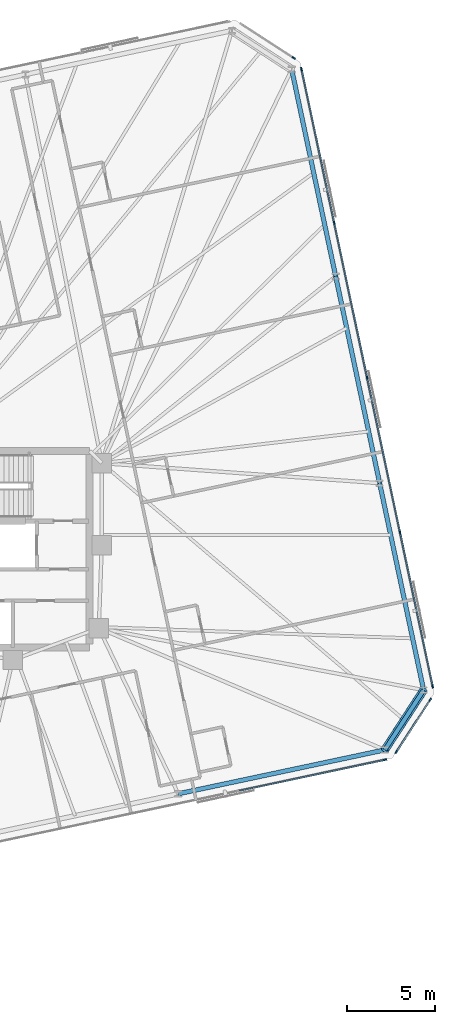
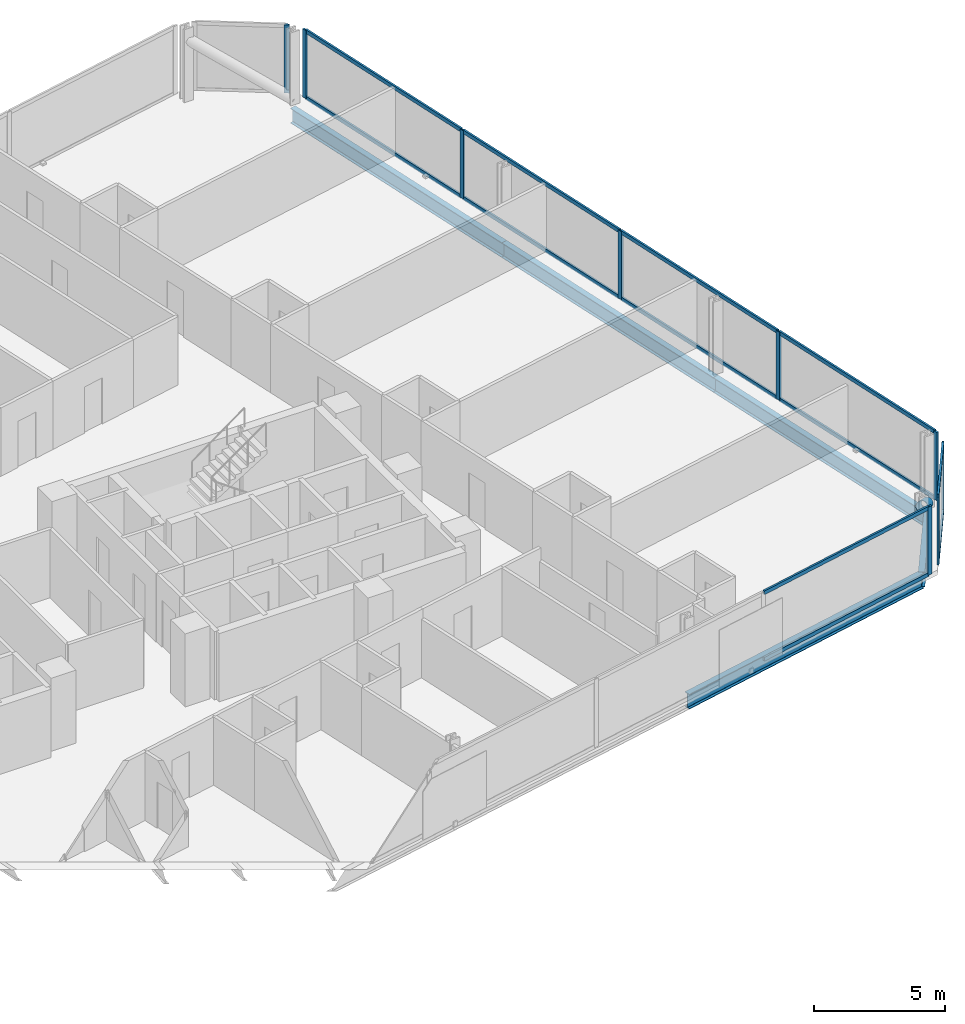
# One storey, part 12 of 21: 22 members, 5 beams, 4 elements without a shape of their own.
"""IFC4 building model written with IfcOpenShell, lengths in metres."""

from ifc_helpers import new_model, si_unit, direction, frame, origin, origin_2d, place, context, subcontext, project, spatial, rectangle, hollow_circle, i_section, extrude, material, material_profile, profile_set, type_object, element, aggregate, save


model = new_model("IFC4")

# Units and contexts
model_context = context("Model", 3, precision=1e-05, world=origin(), true_north=direction((0.0, 1.0)))
body_context = subcontext(model_context, "Body", "Model", "MODEL_VIEW")
ifc_project = project(units=[si_unit("LENGTHUNIT", "METRE"), si_unit("AREAUNIT", "SQUARE_METRE"), si_unit("VOLUMEUNIT", "CUBIC_METRE"), si_unit("PLANEANGLEUNIT", "RADIAN"), si_unit("MASSUNIT", "GRAM", prefix="KILO")], contexts=[model_context])

# Site, building, storey
site_placement = place(None, origin())
site = spatial("IfcSite", under=ifc_project, at=site_placement, CompositionType="ELEMENT")
building_placement = place(site_placement, origin())
building = spatial("IfcBuilding", under=site, at=building_placement, Name="Menara Jurai Vektor", CompositionType="ELEMENT")
storey_placement = place(building_placement, frame((0.0, 0.0, 165.0)))
storey = spatial("IfcBuildingStorey", under=building, at=storey_placement, Name="L42", CompositionType="ELEMENT", Elevation=165.0)

# Curtain wall, member
ifc_material_1 = material(Name="Anodised Pale Aluminium & Low-E Double Glazing", Category="aluminium")
curtain_wall_type = type_object("IfcCurtainWallType", Name="CW-BLK3", PredefinedType="NOTDEFINED", material=ifc_material_1)
curtain_wall_1_placement = place(storey_placement, origin())
curtain_wall_1 = element("IfcCurtainWall", 1, at=curtain_wall_1_placement, inside=storey, type_object=curtain_wall_type, Name="Unitised Curtain Wall L42 F01", PredefinedType="NOTDEFINED")
ifc_material_2 = material(Name="Anodised Pale Aluminium Mullion", Category="aluminium")
ifc_material_profile_1 = material_profile(ifc_material_2, rectangle(XDim=0.0849609375, YDim=0.205078125, at=origin_2d()), Name="ALU MUL 85x205")
ifc_profile_set_1 = profile_set([ifc_material_profile_1], Name="Anodised Pale Aluminium Mullion")
member_type_1 = type_object("IfcMemberType", Name="CW-BLK3-MUL", PredefinedType="MULLION", material=ifc_profile_set_1)
member_1_placement = place(storey_placement, frame((31.392578125, -11.99755859375, 0.0), z_axis=(0.0, 0.0, 1.0), x_axis=(-0.207911344156, 0.978147674419, 0.0)))
member_1 = element("IfcMember", 2, at=member_1_placement, type_object=member_type_1, Name="CW-03 mullion 8", PredefinedType="MULLION", context=body_context, shape_type="SweptSolid", body=[
    extrude(rectangle(XDim=0.0849609375, YDim=0.205078125, at=origin_2d()), origin(), (0.0, 0.0, 1.0), 3.175048828125),
])

# Curtain wall, members
curtain_wall_2_placement = place(storey_placement, origin())
curtain_wall_2 = element("IfcCurtainWall", 3, at=curtain_wall_2_placement, inside=storey, type_object=curtain_wall_type, Name="Unitised Curtain Wall L42 F02", PredefinedType="NOTDEFINED")
member_2_placement = place(storey_placement, frame((32.035888671875, -11.555419921875, 0.0), z_axis=(0.0, 0.0, 1.0), x_axis=(-0.838684361415, 0.544617794346, 0.0)))
member_2 = element("IfcMember", 4, at=member_2_placement, type_object=member_type_1, Name="CW-03 mullion 1", PredefinedType="MULLION", context=body_context, shape_type="SweptSolid", body=[
    extrude(rectangle(XDim=0.0849609375, YDim=0.205078125, at=origin_2d()), origin(), (0.0, 0.0, 1.0), 3.175048828125),
])
member_3_placement = place(storey_placement, frame((33.96337890625, -8.587158203125, 0.0), z_axis=(0.0, 0.0, 1.0), x_axis=(-0.838684361415, 0.544617794346, 0.0)))
member_3 = element("IfcMember", 5, at=member_3_placement, type_object=member_type_1, Name="CW-03 mullion 2", PredefinedType="MULLION", context=body_context, shape_type="SweptSolid", body=[
    extrude(rectangle(XDim=0.0849609375, YDim=0.205078125, at=origin_2d()), origin(), (0.0, 0.0, 1.0), 3.175048828125),
])

curtain_wall_3_placement = place(storey_placement, origin())
curtain_wall_3 = element("IfcCurtainWall", 6, at=curtain_wall_3_placement, inside=storey, type_object=curtain_wall_type, Name="Unitised Curtain Wall L42 F03", PredefinedType="NOTDEFINED")
member_4_placement = place(storey_placement, frame((34.105712890625, -7.819580078125, 0.0), z_axis=(0.0, 0.0, 1.0), x_axis=(-0.978147883949, -0.20791035839, 0.0)))
member_4 = element("IfcMember", 7, at=member_4_placement, type_object=member_type_1, Name="CW-03 mullion 1", PredefinedType="MULLION", context=body_context, shape_type="SweptSolid", body=[
    extrude(rectangle(XDim=0.0849609375, YDim=0.205078125, at=origin_2d()), origin(), (0.0, 0.0, 1.0), 3.175048828125),
])
member_5_placement = place(storey_placement, frame((32.2412109375, 0.951904296875, 0.0), z_axis=(0.0, 0.0, 1.0), x_axis=(-0.978147883949, -0.20791035839, 0.0)))
member_5 = element("IfcMember", 8, at=member_5_placement, type_object=member_type_1, Name="CW-03 mullion 2", PredefinedType="MULLION", context=body_context, shape_type="SweptSolid", body=[
    extrude(rectangle(XDim=0.0849609375, YDim=0.205078125, at=origin_2d()), origin(), (0.0, 0.0, 1.0), 3.175048828125),
])
member_6_placement = place(storey_placement, frame((30.367919921875, 9.76513671875, 0.0), z_axis=(0.0, 0.0, 1.0), x_axis=(-0.978147883949, -0.20791035839, 0.0)))
member_6 = element("IfcMember", 9, at=member_6_placement, type_object=member_type_1, Name="CW-03 mullion 3", PredefinedType="MULLION", context=body_context, shape_type="SweptSolid", body=[
    extrude(rectangle(XDim=0.0849609375, YDim=0.205078125, at=origin_2d()), origin(), (0.0, 0.0, 1.0), 3.175048828125),
])
member_7_placement = place(storey_placement, frame((28.49462890625, 18.578125, 0.0), z_axis=(0.0, 0.0, 1.0), x_axis=(-0.978147883949, -0.20791035839, 0.0)))
member_7 = element("IfcMember", 10, at=member_7_placement, type_object=member_type_1, Name="CW-03 mullion 4", PredefinedType="MULLION", context=body_context, shape_type="SweptSolid", body=[
    extrude(rectangle(XDim=0.0849609375, YDim=0.205078125, at=origin_2d()), origin(), (0.0, 0.0, 1.0), 3.175048828125),
])
member_8_placement = place(storey_placement, frame((26.630126953125, 27.349609375, 0.0), z_axis=(0.0, 0.0, 1.0), x_axis=(-0.978147883949, -0.20791035839, 0.0)))
member_8 = element("IfcMember", 11, at=member_8_placement, type_object=member_type_1, Name="CW-03 mullion 5", PredefinedType="MULLION", context=body_context, shape_type="SweptSolid", body=[
    extrude(rectangle(XDim=0.0849609375, YDim=0.205078125, at=origin_2d()), origin(), (0.0, 0.0, 1.0), 3.175048828125),
])

# Curtain wall, member
curtain_wall_4_placement = place(storey_placement, origin())
curtain_wall_4 = element("IfcCurtainWall", 12, at=curtain_wall_4_placement, inside=storey, type_object=curtain_wall_type, Name="Unitised Curtain Wall L42 F04", PredefinedType="NOTDEFINED")
member_9_placement = place(storey_placement, frame((26.18798828125, 27.9931640625, 0.0), z_axis=(0.0, 0.0, 1.0), x_axis=(-0.544617794346, -0.838684361415, 0.0)))
member_9 = element("IfcMember", 13, at=member_9_placement, type_object=member_type_1, Name="CW-03 mullion 1", PredefinedType="MULLION", context=body_context, shape_type="SweptSolid", body=[
    extrude(rectangle(XDim=0.0849609375, YDim=0.205078125, at=origin_2d()), origin(), (0.0, 0.0, 1.0), 3.175048828125),
])
aggregate(curtain_wall_4, [member_9])

# Member
ifc_material_3 = material(Name="Anodised Pale Aluminium Transom", Category="aluminium")
ifc_material_profile_2 = material_profile(ifc_material_3, rectangle(XDim=0.0849609375, YDim=0.175048828125, at=origin_2d()), Name="ALU TRN 85x175")
ifc_profile_set_2 = profile_set([ifc_material_profile_2], Name="Anodised Pale Aluminium Transom")
member_type_2 = type_object("IfcMemberType", Name="CW-BLK3-TRN", PredefinedType="USERDEFINED", material=ifc_profile_set_2)
member_10_placement = place(storey_placement, frame((23.0859375, -13.76318359375, 0.04248046875), z_axis=(0.978146953428, 0.207914736128, 0.0), x_axis=(-0.207914736128, 0.978146953428, 0.0)))
member_10 = element("IfcMember", 14, at=member_10_placement, type_object=member_type_2, Name="CW-03 transom 7.1", ObjectType="TRANSOM", PredefinedType="USERDEFINED", context=body_context, shape_type="SweptSolid", body=[
    extrude(rectangle(XDim=0.0849609375, YDim=0.175048828125, at=origin_2d()), origin(), (0.0, 0.0, 1.0), 8.44970703125),
])

member_11_placement = place(storey_placement, frame((23.0859375, -13.76318359375, 3.132568359375), z_axis=(0.978146953428, 0.207914736128, 0.0), x_axis=(-0.207914736128, 0.978146953428, 0.0)))
member_11 = element("IfcMember", 15, at=member_11_placement, type_object=member_type_2, Name="CW-03 transom 7.2", ObjectType="TRANSOM", PredefinedType="USERDEFINED", context=body_context, shape_type="SweptSolid", body=[
    extrude(rectangle(XDim=0.0849609375, YDim=0.175048828125, at=origin_2d()), origin(), (0.0, 0.0, 1.0), 8.44970703125),
])

aggregate(curtain_wall_1, [member_1, member_10, member_11])

member_12_placement = place(storey_placement, frame((32.05908203125, -11.519775390625, 0.04248046875), z_axis=(0.54459575764, 0.838698671014, 0.0), x_axis=(-0.838698671014, 0.54459575764, 0.0)))
member_12 = element("IfcMember", 16, at=member_12_placement, type_object=member_type_2, Name="CW-03 transom 1.1", ObjectType="TRANSOM", PredefinedType="USERDEFINED", context=body_context, shape_type="SweptSolid", body=[
    extrude(rectangle(XDim=0.0849609375, YDim=0.175048828125, at=origin_2d()), origin(), (0.0, 0.0, 1.0), 3.4541015625),
])

member_13_placement = place(storey_placement, frame((32.05908203125, -11.519775390625, 3.132568359375), z_axis=(0.54459575764, 0.838698671014, 0.0), x_axis=(-0.838698671014, 0.54459575764, 0.0)))
member_13 = element("IfcMember", 17, at=member_13_placement, type_object=member_type_2, Name="CW-03 transom 1.2", ObjectType="TRANSOM", PredefinedType="USERDEFINED", context=body_context, shape_type="SweptSolid", body=[
    extrude(rectangle(XDim=0.0849609375, YDim=0.175048828125, at=origin_2d()), origin(), (0.0, 0.0, 1.0), 3.4541015625),
])

aggregate(curtain_wall_2, [member_2, member_3, member_12, member_13])

member_14_placement = place(storey_placement, frame((34.096923828125, -7.778076171875, 0.04248046875), z_axis=(-0.207925814542, 0.978144598537, 0.0), x_axis=(-0.978144598537, -0.207925814542, 0.0)))
member_14 = element("IfcMember", 18, at=member_14_placement, type_object=member_type_2, Name="CW-03 transom 1.1", ObjectType="TRANSOM", PredefinedType="USERDEFINED", context=body_context, shape_type="SweptSolid", body=[
    extrude(rectangle(XDim=0.0849609375, YDim=0.175048828125, at=origin_2d()), origin(), (0.0, 0.0, 1.0), 8.882568359375),
])

member_15_placement = place(storey_placement, frame((34.096923828125, -7.778076171875, 3.132568359375), z_axis=(-0.207925814542, 0.978144598537, 0.0), x_axis=(-0.978144598537, -0.207925814542, 0.0)))
member_15 = element("IfcMember", 19, at=member_15_placement, type_object=member_type_2, Name="CW-03 transom 1.2", ObjectType="TRANSOM", PredefinedType="USERDEFINED", context=body_context, shape_type="SweptSolid", body=[
    extrude(rectangle(XDim=0.0849609375, YDim=0.175048828125, at=origin_2d()), origin(), (0.0, 0.0, 1.0), 8.882568359375),
])

member_16_placement = place(storey_placement, frame((32.232421875, 0.993408203125, 0.04248046875), z_axis=(-0.207922224243, 0.978145361726, 0.0), x_axis=(-0.978145361726, -0.207922224243, 0.0)))
member_16 = element("IfcMember", 20, at=member_16_placement, type_object=member_type_2, Name="CW-03 transom 2.1", ObjectType="TRANSOM", PredefinedType="USERDEFINED", context=body_context, shape_type="SweptSolid", body=[
    extrude(rectangle(XDim=0.0849609375, YDim=0.175048828125, at=origin_2d()), origin(), (0.0, 0.0, 1.0), 8.925048828125),
])

member_17_placement = place(storey_placement, frame((32.232421875, 0.993408203125, 3.132568359375), z_axis=(-0.207922224243, 0.978145361726, 0.0), x_axis=(-0.978145361726, -0.207922224243, 0.0)))
member_17 = element("IfcMember", 21, at=member_17_placement, type_object=member_type_2, Name="CW-03 transom 2.2", ObjectType="TRANSOM", PredefinedType="USERDEFINED", context=body_context, shape_type="SweptSolid", body=[
    extrude(rectangle(XDim=0.0849609375, YDim=0.175048828125, at=origin_2d()), origin(), (0.0, 0.0, 1.0), 8.925048828125),
])

member_18_placement = place(storey_placement, frame((30.359130859375, 9.806640625, 0.04248046875), z_axis=(-0.207922224243, 0.978145361726, 0.0), x_axis=(-0.978145361726, -0.207922224243, 0.0)))
member_18 = element("IfcMember", 22, at=member_18_placement, type_object=member_type_2, Name="CW-03 transom 3.1", ObjectType="TRANSOM", PredefinedType="USERDEFINED", context=body_context, shape_type="SweptSolid", body=[
    extrude(rectangle(XDim=0.0849609375, YDim=0.175048828125, at=origin_2d()), origin(), (0.0, 0.0, 1.0), 8.925048828125),
])

member_19_placement = place(storey_placement, frame((30.359130859375, 9.806640625, 3.132568359375), z_axis=(-0.207922224243, 0.978145361726, 0.0), x_axis=(-0.978145361726, -0.207922224243, 0.0)))
member_19 = element("IfcMember", 23, at=member_19_placement, type_object=member_type_2, Name="CW-03 transom 3.2", ObjectType="TRANSOM", PredefinedType="USERDEFINED", context=body_context, shape_type="SweptSolid", body=[
    extrude(rectangle(XDim=0.0849609375, YDim=0.175048828125, at=origin_2d()), origin(), (0.0, 0.0, 1.0), 8.925048828125),
])

member_20_placement = place(storey_placement, frame((28.48583984375, 18.61962890625, 0.04248046875), z_axis=(-0.207899517354, 0.978150188204, 0.0), x_axis=(-0.978150188204, -0.207899517354, 0.0)))
member_20 = element("IfcMember", 24, at=member_20_placement, type_object=member_type_2, Name="CW-03 transom 4.1", ObjectType="TRANSOM", PredefinedType="USERDEFINED", context=body_context, shape_type="SweptSolid", body=[
    extrude(rectangle(XDim=0.0849609375, YDim=0.175048828125, at=origin_2d()), origin(), (0.0, 0.0, 1.0), 8.882568359375),
])

member_21_placement = place(storey_placement, frame((28.48583984375, 18.61962890625, 3.132568359375), z_axis=(-0.207899517354, 0.978150188204, 0.0), x_axis=(-0.978150188204, -0.207899517354, 0.0)))
member_21 = element("IfcMember", 25, at=member_21_placement, type_object=member_type_2, Name="CW-03 transom 4.2", ObjectType="TRANSOM", PredefinedType="USERDEFINED", context=body_context, shape_type="SweptSolid", body=[
    extrude(rectangle(XDim=0.0849609375, YDim=0.175048828125, at=origin_2d()), origin(), (0.0, 0.0, 1.0), 8.882568359375),
])

aggregate(curtain_wall_3, [member_4, member_5, member_6, member_7, member_8, member_14, member_15, member_16, member_17, member_18, member_19, member_20, member_21])

ifc_material_4 = material(Name="Steel S460", Category="steel")
ifc_material_profile_3 = material_profile(ifc_material_4, hollow_circle(Radius=0.228515625, WallThickness=0.01611328125, at=origin_2d()), Name="CHS 457x16")
ifc_profile_set_3 = profile_set([ifc_material_profile_3], Name="Steel S460")
member_type_3 = type_object("IfcMemberType", Name="STR-BR-457", PredefinedType="BRACE", material=ifc_profile_set_3)
member_22_placement = place(storey_placement, frame((33.588623046875, -8.031982421875, 0.14990234375), z_axis=(-0.454871874024, -0.700428396616, 0.549992399435), x_axis=(0.838665998507, -0.544646071268, 0.0)))
element("IfcMember", 26, at=member_22_placement, inside=storey, type_object=member_type_3, Name="Exoskeleton Corner Brace L42-1", PredefinedType="BRACE", context=body_context, shape_type="SweptSolid", body=[
    extrude(hollow_circle(Radius=0.228515625, WallThickness=0.01611328125, at=origin_2d()), origin(), (0.0, 0.0, 1.0), 4.86376953125),
])

# Beams
ifc_material_profile_4 = material_profile(ifc_material_4, i_section(OverallWidth=0.256103515625, OverallDepth=0.693115234375, WebThickness=0.013916015625, FlangeThickness=0.02392578125, FilletRadius=0.014892578125, at=origin_2d()), Name="UKB 686x254x170")
ifc_profile_set_4 = profile_set([ifc_material_profile_4], Name="Steel S460")
beam_type = type_object("IfcBeamType", Name="STR-SP-686", PredefinedType="SPANDREL", material=ifc_profile_set_4)
beam_1_placement = place(storey_placement, frame((19.608154296875, -13.940185546875, -0.571533203125), z_axis=(0.97814616202, 0.207918459318, 0.0), x_axis=(-0.207918459318, 0.97814616202, 0.0)))
element("IfcBeam", 27, at=beam_1_placement, inside=storey, type_object=beam_type, Name="Exoskeleton Spandrel Beam L42-05", PredefinedType="SPANDREL", context=body_context, shape_type="SweptSolid", body=[
    extrude(i_section(OverallWidth=0.256103515625, OverallDepth=0.693115234375, WebThickness=0.013916015625, FlangeThickness=0.02392578125, FilletRadius=0.014892578125, at=origin_2d()), origin(), (0.0, 0.0, 1.0), 12.031005859375),
])
beam_2_placement = place(storey_placement, frame((31.376220703125, -11.438720703125, -0.571533203125), z_axis=(0.544646071268, 0.838665998507, 0.0), x_axis=(-0.838665998507, 0.544646071268, 0.0)))
element("IfcBeam", 28, at=beam_2_placement, inside=storey, type_object=beam_type, Name="Exoskeleton Spandrel Beam L42-06", PredefinedType="SPANDREL", context=body_context, shape_type="SweptSolid", body=[
    extrude(i_section(OverallWidth=0.256103515625, OverallDepth=0.693115234375, WebThickness=0.013916015625, FlangeThickness=0.02392578125, FilletRadius=0.014892578125, at=origin_2d()), origin(), (0.0, 0.0, 1.0), 4.06201171875),
])
beam_3_placement = place(storey_placement, frame((33.588623046875, -8.031982421875, -0.571533203125), z_axis=(-0.207925382659, 0.978144690343, 0.0), x_axis=(-0.978144690343, -0.207925382659, 0.0)))
element("IfcBeam", 29, at=beam_3_placement, inside=storey, type_object=beam_type, Name="Exoskeleton Spandrel Beam L42-07", PredefinedType="SPANDREL", context=body_context, shape_type="SweptSolid", body=[
    extrude(i_section(OverallWidth=0.256103515625, OverallDepth=0.693115234375, WebThickness=0.013916015625, FlangeThickness=0.02392578125, FilletRadius=0.014892578125, at=origin_2d()), origin(), (0.0, 0.0, 1.0), 12.0517578125),
])
for number, where, z_axis, x_axis, name in (
    (30, (31.082763671875, 3.75634765625, -0.571533203125), (-0.207901880993, 0.978149685825, 0.0), (-0.978149685825, -0.207901880993, 0.0), "Exoskeleton Spandrel Beam L42-08"),
    (31, (28.5771484375, 15.544921875, -0.571533203125), (-0.207921262698, 0.978145566119, 0.0), (-0.978145566119, -0.207921262698, 0.0), "Exoskeleton Spandrel Beam L42-09"),
):
    element("IfcBeam", number, at=place(storey_placement, frame(where, z_axis=z_axis, x_axis=x_axis)), inside=storey, type_object=beam_type, Name=name, PredefinedType="SPANDREL", context=body_context, shape_type="SweptSolid", body=[
        extrude(i_section(OverallWidth=0.256103515625, OverallDepth=0.693115234375, WebThickness=0.013916015625, FlangeThickness=0.02392578125, FilletRadius=0.014892578125, at=origin_2d()), origin(), (0.0, 0.0, 1.0), 12.052001953125),
    ])

save(model, "model.ifc")
